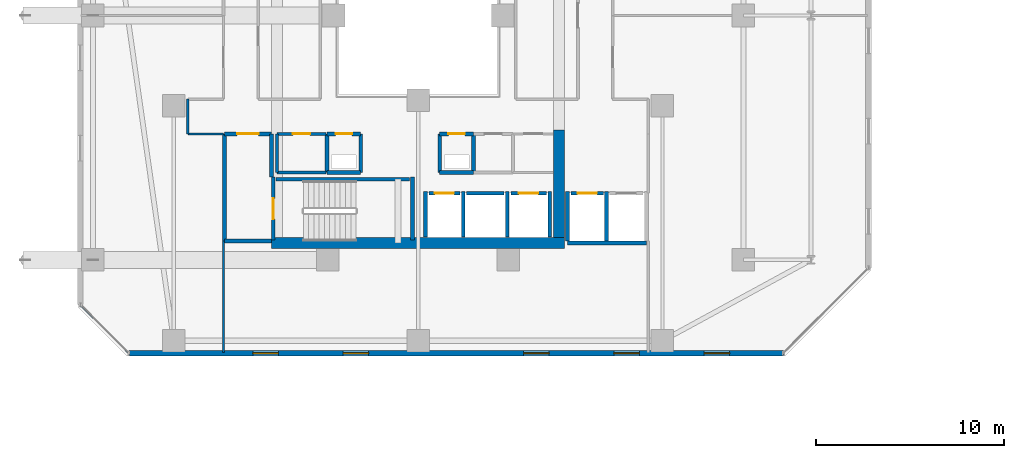
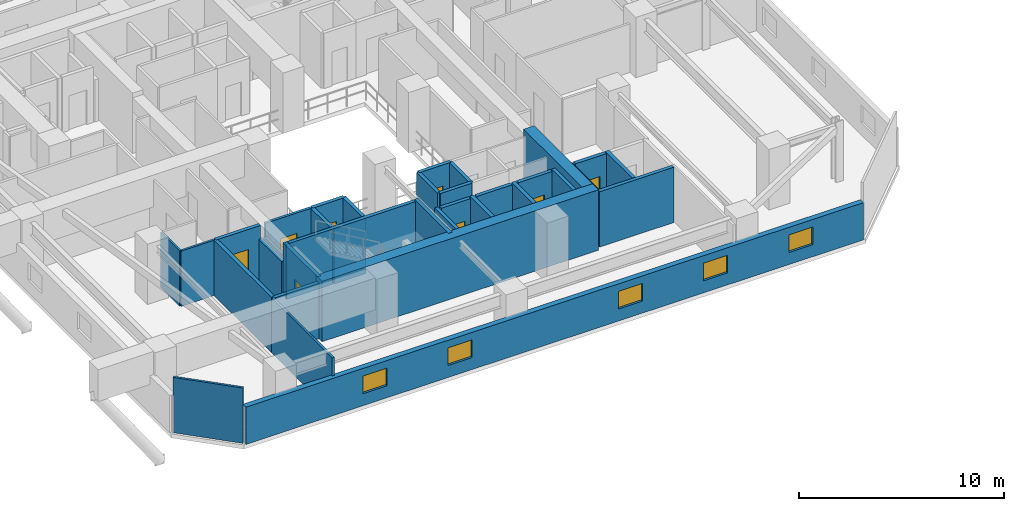
# One storey, part 21 of 36: 36 walls, 8 doors, 5 windows, 13 openings.
"""IFC4 building model written with IfcOpenShell, lengths in metres."""

from ifc_helpers import new_model, si_unit, direction, frame, frame_2d, origin, place, context, subcontext, project, spatial, rectangle, extrude, material, layer, layer_set, type_object, element, fill, save


model = new_model("IFC4")

# Units and contexts
model_context = context("Model", 3, precision=1e-05, world=origin(), true_north=direction((0.0, 1.0)))
body_context = subcontext(model_context, "Body", "Model", "MODEL_VIEW")
ifc_project = project(units=[si_unit("LENGTHUNIT", "METRE"), si_unit("AREAUNIT", "SQUARE_METRE"), si_unit("VOLUMEUNIT", "CUBIC_METRE"), si_unit("PLANEANGLEUNIT", "RADIAN"), si_unit("MASSUNIT", "GRAM", prefix="KILO")], contexts=[model_context])

# Site, building, storey
site_placement = place(None, origin())
site = spatial("IfcSite", under=ifc_project, at=site_placement, CompositionType="ELEMENT")
building_placement = place(site_placement, origin())
building = spatial("IfcBuilding", under=site, at=building_placement, Name="Thornwick Lancets Civic Towers", CompositionType="ELEMENT")
storey_placement = place(building_placement, frame((0.0, 0.0, 94.5)))
storey = spatial("IfcBuildingStorey", under=building, at=storey_placement, Name="L24", CompositionType="ELEMENT", Elevation=94.5)

# Wall, opening, door
ifc_material_1 = material(Name="Concrete blockwork C40/50", Category="masonry")
ifc_layer_1 = layer(ifc_material_1, 0.199951171875, Name="Concrete blockwork C40/50")
ifc_layer_set_1 = layer_set([ifc_layer_1], Name="Concrete blockwork C40/50")
wall_type_1 = type_object("IfcWallType", Name="WALL_COMP_200", PredefinedType="STANDARD", material=ifc_layer_set_1)
wall_1_placement = place(storey_placement, frame((26.080078125, 17.550048828125, 0.0), z_axis=(0.0, 0.0, 1.0), x_axis=(1.0, 0.0, 0.0)))
wall_1 = element("IfcWall", 1, at=wall_1_placement, inside=storey, type_object=wall_type_1, Name="L24 Hoistway Front Wall FL-A1", PredefinedType="STANDARD", context=body_context, shape_type="SweptSolid", body=[
    extrude(rectangle(XDim=1.639892578125, YDim=0.199951171875, at=frame_2d((0.81982421875, 0.0))), origin(), (0.0, 0.0, 1.0), 3.300048828125),
])
opening_1_placement = place(wall_1_placement, frame((0.31005859375, 0.0, 0.0)))
opening_1 = element("IfcOpeningElement", 2, at=opening_1_placement, cuts=wall_1, Name="Opening LD-FL-A1", PredefinedType="OPENING", context=body_context, shape_type="SweptSolid", body=[
    extrude(rectangle(XDim=1.02001953125, YDim=2.06005859375, at=frame_2d((0.510009765625, 1.030029296875))), frame((0.0, 0.10986328125, 0.0), z_axis=(0.0, -1.0, 0.0), x_axis=(1.0, 0.0, 0.0)), (0.0, 0.0, 1.0), 0.219970703125),
])
ifc_material_2 = material(Name="Brushed bronze stainless steel", Category="steel")
door_type_1 = type_object("IfcDoorType", Name="DOOR_LIFT_SLIDE", OperationType="SLIDING_TO_LEFT", PredefinedType="DOOR", material=ifc_material_2)
door_1_placement = place(opening_1_placement, origin())
door_1 = element("IfcDoor", 3, at=door_1_placement, inside=storey, type_object=door_type_1, Name="L24 Sliding Lift Landing Door LD-FL-A1", OperationType="SLIDING_TO_LEFT", OverallHeight=2.06005859375, OverallWidth=1.02001953125, PredefinedType="DOOR", context=body_context, shape_type="SweptSolid", body=[
    extrude(rectangle(XDim=1.02001953125, YDim=2.06005859375, at=frame_2d((0.510009765625, 1.030029296875))), frame((0.0, 0.02490234375, 0.0), z_axis=(0.0, -1.0, 0.0), x_axis=(1.0, 0.0, 0.0)), (0.0, 0.0, 1.0), 0.050048828125),
])
fill(opening_1, door_1)

# Wall
wall_2_placement = place(storey_placement, frame((28.080078125, 17.550048828125, 0.0), z_axis=(0.0, 0.0, 1.0), x_axis=(1.0, 0.0, 0.0)))
element("IfcWall", 4, at=wall_2_placement, inside=storey, type_object=wall_type_1, Name="L24 Hoistway Front Wall PL-AH1", PredefinedType="STANDARD", context=body_context, shape_type="SweptSolid", body=[
    extrude(rectangle(XDim=1.989990234375, YDim=0.199951171875, at=frame_2d((0.9951171875, 0.0))), origin(), (0.0, 0.0, 1.0), 3.300048828125),
])

# Wall, opening, door
wall_3_placement = place(storey_placement, frame((30.429931640625, 17.550048828125, 0.0), z_axis=(0.0, 0.0, 1.0), x_axis=(1.0, 0.0, 0.0)))
wall_3 = element("IfcWall", 5, at=wall_3_placement, inside=storey, type_object=wall_type_1, Name="L24 Hoistway Front Wall PL-AL1", PredefinedType="STANDARD", context=body_context, shape_type="SweptSolid", body=[
    extrude(rectangle(XDim=1.89013671875, YDim=0.199951171875, at=frame_2d((0.945068359375, 0.0))), origin(), (0.0, 0.0, 1.0), 3.300048828125),
])
opening_2_placement = place(wall_3_placement, frame((0.43505859375, 0.0, 0.0)))
opening_2 = element("IfcOpeningElement", 6, at=opening_2_placement, cuts=wall_3, Name="Opening LD-PL-AL1", PredefinedType="OPENING", context=body_context, shape_type="SweptSolid", body=[
    extrude(rectangle(XDim=1.02001953125, YDim=2.06005859375, at=frame_2d((0.510009765625, 1.030029296875))), frame((0.0, 0.10986328125, 0.0), z_axis=(0.0, -1.0, 0.0), x_axis=(1.0, 0.0, 0.0)), (0.0, 0.0, 1.0), 0.219970703125),
])
door_2_placement = place(opening_2_placement, origin())
door_2 = element("IfcDoor", 7, at=door_2_placement, inside=storey, type_object=door_type_1, Name="L24 Sliding Lift Landing Door LD-PL-AL1", OperationType="SLIDING_TO_LEFT", OverallHeight=2.06005859375, OverallWidth=1.02001953125, PredefinedType="DOOR", context=body_context, shape_type="SweptSolid", body=[
    extrude(rectangle(XDim=1.02001953125, YDim=2.06005859375, at=frame_2d((0.510009765625, 1.030029296875))), frame((0.0, 0.02490234375, 0.0), z_axis=(0.0, -1.0, 0.0), x_axis=(1.0, 0.0, 0.0)), (0.0, 0.0, 1.0), 0.050048828125),
])
fill(opening_2, door_2)

wall_4_placement = place(storey_placement, frame((33.6298828125, 17.550048828125, 0.0), z_axis=(0.0, 0.0, 1.0), x_axis=(1.0, 0.0, 0.0)))
wall_4 = element("IfcWall", 8, at=wall_4_placement, inside=storey, type_object=wall_type_1, Name="L24 Hoistway Front Wall PL-AL2", PredefinedType="STANDARD", context=body_context, shape_type="SweptSolid", body=[
    extrude(rectangle(XDim=1.740234375, YDim=0.199951171875, at=frame_2d((0.8701171875, 0.0))), origin(), (0.0, 0.0, 1.0), 3.300048828125),
])
opening_3_placement = place(wall_4_placement, frame((0.360107421875, 0.0, 0.0)))
opening_3 = element("IfcOpeningElement", 9, at=opening_3_placement, cuts=wall_4, Name="Opening LD-PL-AL2", PredefinedType="OPENING", context=body_context, shape_type="SweptSolid", body=[
    extrude(rectangle(XDim=1.02001953125, YDim=2.06005859375, at=frame_2d((0.510009765625, 1.030029296875))), frame((0.0, 0.10986328125, 0.0), z_axis=(0.0, -1.0, 0.0), x_axis=(1.0, 0.0, 0.0)), (0.0, 0.0, 1.0), 0.219970703125),
])
door_3_placement = place(opening_3_placement, origin())
door_3 = element("IfcDoor", 10, at=door_3_placement, inside=storey, type_object=door_type_1, Name="L24 Sliding Lift Landing Door LD-PL-AL2", OperationType="SLIDING_TO_LEFT", OverallHeight=2.06005859375, OverallWidth=1.02001953125, PredefinedType="DOOR", context=body_context, shape_type="SweptSolid", body=[
    extrude(rectangle(XDim=1.02001953125, YDim=2.06005859375, at=frame_2d((0.510009765625, 1.030029296875))), frame((0.0, 0.02490234375, 0.0), z_axis=(0.0, -1.0, 0.0), x_axis=(1.0, 0.0, 0.0)), (0.0, 0.0, 1.0), 0.050048828125),
])
fill(opening_3, door_3)

# Walls
for number, where, z_axis, x_axis, name in (
    (11, (27.89990234375, 15.2119140625, 0.0), (0.0, 0.0, 1.0), (0.0, 1.0, 0.0), "L24 Hoistway Shaft Wall FL-A1 E"),
    (12, (25.89990234375, 15.2119140625, 0.0), (0.0, 0.0, 1.0), (0.0, 1.0, 0.0), "L24 Hoistway Shaft Wall FL-A1 W"),
    (13, (30.25, 15.2119140625, 0.0), (0.0, 0.0, 1.0), (0.0, 1.0, 0.0), "L24 Hoistway Shaft Wall PL-AH1 E"),
    (14, (32.5, 15.2119140625, 0.0), (0.0, 0.0, 1.0), (0.0, 1.0, 0.0), "L24 Hoistway Shaft Wall PL-AL1 E"),
):
    element("IfcWall", number, at=place(storey_placement, frame(where, z_axis=z_axis, x_axis=x_axis)), inside=storey, type_object=wall_type_1, Name=name, PredefinedType="STANDARD", context=body_context, shape_type="SweptSolid", body=[
        extrude(rectangle(XDim=2.43603515625, YDim=0.199951171875, at=frame_2d((1.218017578125, 0.0))), origin(), (0.0, 0.0, 1.0), 3.300048828125),
    ])
wall_5_placement = place(storey_placement, frame((33.451904296875, 14.89990234375, 0.0), z_axis=(0.0, 0.0, 1.0), x_axis=(1.0, 0.0, 0.0)))
element("IfcWall", 15, at=wall_5_placement, inside=storey, type_object=wall_type_1, Name="L24 Hoistway Shaft Wall PL-AL2 S", PredefinedType="STANDARD", context=body_context, shape_type="SweptSolid", body=[
    extrude(rectangle(XDim=4.196044921875, YDim=0.199951171875, at=frame_2d((2.09814453125, 0.0))), origin(), (0.0, 0.0, 1.0), 3.300048828125),
])
for number, where, z_axis, x_axis, name in (
    (16, (35.52490234375, 15.011962890625, 0.0), (0.0, 0.0, 1.0), (0.0, 1.0, 0.0), "L24 Hoistway Shaft Wall PL-AL2 E"),
    (17, (33.449951171875, 15.011962890625, 0.0), (0.0, 0.0, 1.0), (0.0, 1.0, 0.0), "L24 Hoistway Shaft Wall PL-AL2 W"),
):
    element("IfcWall", number, at=place(storey_placement, frame(where, z_axis=z_axis, x_axis=x_axis)), inside=storey, type_object=wall_type_1, Name=name, PredefinedType="STANDARD", context=body_context, shape_type="SweptSolid", body=[
        extrude(rectangle(XDim=2.635986328125, YDim=0.199951171875, at=frame_2d((1.31787109375, 0.0))), origin(), (0.0, 0.0, 1.0), 3.300048828125),
    ])
wall_6_placement = place(storey_placement, frame((15.199951171875, 15.0, 0.0), z_axis=(0.0, 0.0, 1.0), x_axis=(1.0, 0.0, 0.0)))
element("IfcWall", 18, at=wall_6_placement, inside=storey, type_object=wall_type_1, Name="L24 Partition L24-A-FFLOB1 E1", PredefinedType="STANDARD", context=body_context, shape_type="SweptSolid", body=[
    extrude(rectangle(XDim=2.5, YDim=0.199951171875, at=frame_2d((1.25, 0.0))), origin(), (0.0, 0.0, 1.0), 3.300048828125),
])
wall_7_placement = place(storey_placement, frame((17.699951171875, 18.39990234375, 0.0), z_axis=(0.0, 0.0, 1.0), x_axis=(0.0, 1.0, 0.0)))
element("IfcWall", 19, at=wall_7_placement, inside=storey, type_object=wall_type_1, Name="L24 Partition L24-A-FFLOB1 E2", PredefinedType="STANDARD", context=body_context, shape_type="SweptSolid", body=[
    extrude(rectangle(XDim=2.300048828125, YDim=0.199951171875, at=frame_2d((1.14990234375, 0.0))), origin(), (0.0, 0.0, 1.0), 2.5048828125),
])

# Wall, opening, door
wall_8_placement = place(storey_placement, frame((17.699951171875, 20.699951171875, 0.0), z_axis=(0.0, 0.0, 1.0), x_axis=(-1.0, 0.0, 0.0)))
wall_8 = element("IfcWall", 20, at=wall_8_placement, inside=storey, type_object=wall_type_1, Name="L24 Partition L24-A-FFLOB1 E3", PredefinedType="STANDARD", context=body_context, shape_type="SweptSolid", body=[
    extrude(rectangle(XDim=2.5, YDim=0.199951171875, at=frame_2d((1.25, 0.0))), origin(), (0.0, 0.0, 1.0), 3.300048828125),
])
opening_4_placement = place(wall_8_placement, frame((0.675048828125, 0.0, 0.0)))
opening_4 = element("IfcOpeningElement", 21, at=opening_4_placement, cuts=wall_8, Name="Opening D-L24-1107", PredefinedType="OPENING", context=body_context, shape_type="SweptSolid", body=[
    extrude(rectangle(XDim=1.14990234375, YDim=2.10009765625, at=frame_2d((0.574951171875, 1.050048828125))), frame((0.0, 0.10986328125, 0.0), z_axis=(0.0, -1.0, 0.0), x_axis=(1.0, 0.0, 0.0)), (0.0, 0.0, 1.0), 0.219970703125),
])
ifc_material_3 = material(Name="Glazed fire-resisting steel", Category="steel")
door_type_2 = type_object("IfcDoorType", Name="DOOR_LOBBY_FD60", OperationType="NOTDEFINED", PredefinedType="DOOR", material=ifc_material_3)
door_4_placement = place(opening_4_placement, origin())
door_4 = element("IfcDoor", 22, at=door_4_placement, inside=storey, type_object=door_type_2, Name="L24 South Firefighting Lobby 1 Door", OperationType="SINGLE_SWING_RIGHT", OverallHeight=2.10009765625, OverallWidth=1.14990234375, PredefinedType="DOOR", context=body_context, shape_type="SweptSolid", body=[
    extrude(rectangle(XDim=1.14990234375, YDim=2.10009765625, at=frame_2d((0.574951171875, 1.050048828125))), frame((0.0, 0.02490234375, 0.0), z_axis=(0.0, -1.0, 0.0), x_axis=(1.0, 0.0, 0.0)), (0.0, 0.0, 1.0), 0.050048828125),
])
fill(opening_4, door_4)

# Walls
wall_9_placement = place(storey_placement, frame((15.199951171875, 20.699951171875, 0.0), z_axis=(0.0, 0.0, 1.0), x_axis=(0.0, -1.0, 0.0)))
element("IfcWall", 23, at=wall_9_placement, inside=storey, type_object=wall_type_1, Name="L24 Partition L24-A-FFLOB1 E4", PredefinedType="STANDARD", context=body_context, shape_type="SweptSolid", body=[
    extrude(rectangle(XDim=5.699951171875, YDim=0.199951171875, at=frame_2d((2.85009765625, 0.0))), origin(), (0.0, 0.0, 1.0), 3.300048828125),
])
wall_10_placement = place(storey_placement, frame((26.64990234375, 18.64990234375, 0.0), z_axis=(0.0, 0.0, 1.0), x_axis=(1.0, 0.0, 0.0)))
element("IfcWall", 24, at=wall_10_placement, inside=storey, type_object=wall_type_1, Name="L24 Partition L24-A-DUCT1 E1", PredefinedType="STANDARD", context=body_context, shape_type="SweptSolid", body=[
    extrude(rectangle(XDim=1.800048828125, YDim=0.199951171875, at=frame_2d((0.89990234375, 0.0))), origin(), (0.0, 0.0, 1.0), 3.300048828125),
])
wall_11_placement = place(storey_placement, frame((28.449951171875, 18.64990234375, 0.0), z_axis=(0.0, 0.0, 1.0), x_axis=(0.0, 1.0, 0.0)))
element("IfcWall", 25, at=wall_11_placement, inside=storey, type_object=wall_type_1, Name="L24 Partition L24-A-DUCT1 E2", PredefinedType="STANDARD", context=body_context, shape_type="SweptSolid", body=[
    extrude(rectangle(XDim=2.050048828125, YDim=0.199951171875, at=frame_2d((1.02490234375, 0.0))), origin(), (0.0, 0.0, 1.0), 3.300048828125),
])

# Wall, opening, door
wall_12_placement = place(storey_placement, frame((28.449951171875, 20.699951171875, 0.0), z_axis=(0.0, 0.0, 1.0), x_axis=(-1.0, 0.0, 0.0)))
wall_12 = element("IfcWall", 26, at=wall_12_placement, inside=storey, type_object=wall_type_1, Name="L24 Partition L24-A-DUCT1 E3", PredefinedType="STANDARD", context=body_context, shape_type="SweptSolid", body=[
    extrude(rectangle(XDim=1.800048828125, YDim=0.199951171875, at=frame_2d((0.89990234375, 0.0))), origin(), (0.0, 0.0, 1.0), 3.300048828125),
])
opening_5_placement = place(wall_12_placement, frame((0.4599609375, 0.0, 0.0)))
opening_5 = element("IfcOpeningElement", 27, at=opening_5_placement, cuts=wall_12, Name="Opening D-L24-1109", PredefinedType="OPENING", context=body_context, shape_type="SweptSolid", body=[
    extrude(rectangle(XDim=0.8798828125, YDim=2.0400390625, at=frame_2d((0.43994140625, 1.02001953125))), frame((0.0, 0.10986328125, 0.0), z_axis=(0.0, -1.0, 0.0), x_axis=(1.0, 0.0, 0.0)), (0.0, 0.0, 1.0), 0.219970703125),
])
ifc_material_4 = material(Name="Steel riser access doorset", Category="steel")
door_type_3 = type_object("IfcDoorType", Name="DOOR_RISER_850", OperationType="NOTDEFINED", PredefinedType="DOOR", material=ifc_material_4)
door_5_placement = place(opening_5_placement, origin())
door_5 = element("IfcDoor", 28, at=door_5_placement, inside=storey, type_object=door_type_3, Name="L24 South Service Duct 1 Door", OperationType="SINGLE_SWING_RIGHT", OverallHeight=2.0400390625, OverallWidth=0.8798828125, PredefinedType="DOOR", context=body_context, shape_type="SweptSolid", body=[
    extrude(rectangle(XDim=0.8798828125, YDim=2.0400390625, at=frame_2d((0.43994140625, 1.02001953125))), frame((0.0, 0.02490234375, 0.0), z_axis=(0.0, -1.0, 0.0), x_axis=(1.0, 0.0, 0.0)), (0.0, 0.0, 1.0), 0.050048828125),
])
fill(opening_5, door_5)

# Walls
wall_13_placement = place(storey_placement, frame((26.64990234375, 20.699951171875, 0.0), z_axis=(0.0, 0.0, 1.0), x_axis=(0.0, -1.0, 0.0)))
element("IfcWall", 29, at=wall_13_placement, inside=storey, type_object=wall_type_1, Name="L24 Partition L24-A-DUCT1 E4", PredefinedType="STANDARD", context=body_context, shape_type="SweptSolid", body=[
    extrude(rectangle(XDim=2.050048828125, YDim=0.199951171875, at=frame_2d((1.02490234375, 0.0))), origin(), (0.0, 0.0, 1.0), 3.300048828125),
])
wall_14_placement = place(storey_placement, frame((20.64990234375, 18.64990234375, 0.0), z_axis=(0.0, 0.0, 1.0), x_axis=(1.0, 0.0, 0.0)))
element("IfcWall", 30, at=wall_14_placement, inside=storey, type_object=wall_type_1, Name="L24 Partition L24-A-RISER1 E1", PredefinedType="STANDARD", context=body_context, shape_type="SweptSolid", body=[
    extrude(rectangle(XDim=1.800048828125, YDim=0.199951171875, at=frame_2d((0.89990234375, 0.0))), origin(), (0.0, 0.0, 1.0), 3.300048828125),
])
wall_15_placement = place(storey_placement, frame((22.449951171875, 18.64990234375, 0.0), z_axis=(0.0, 0.0, 1.0), x_axis=(0.0, 1.0, 0.0)))
element("IfcWall", 31, at=wall_15_placement, inside=storey, type_object=wall_type_1, Name="L24 Partition L24-A-RISER1 E2", PredefinedType="STANDARD", context=body_context, shape_type="SweptSolid", body=[
    extrude(rectangle(XDim=2.050048828125, YDim=0.199951171875, at=frame_2d((1.02490234375, 0.0))), origin(), (0.0, 0.0, 1.0), 3.300048828125),
])

# Wall, opening, door
wall_16_placement = place(storey_placement, frame((22.449951171875, 20.699951171875, 0.0), z_axis=(0.0, 0.0, 1.0), x_axis=(-1.0, 0.0, 0.0)))
wall_16 = element("IfcWall", 32, at=wall_16_placement, inside=storey, type_object=wall_type_1, Name="L24 Partition L24-A-RISER1 E3", PredefinedType="STANDARD", context=body_context, shape_type="SweptSolid", body=[
    extrude(rectangle(XDim=1.800048828125, YDim=0.199951171875, at=frame_2d((0.89990234375, 0.0))), origin(), (0.0, 0.0, 1.0), 3.300048828125),
])
opening_6_placement = place(wall_16_placement, frame((0.4599609375, 0.0, 0.0)))
opening_6 = element("IfcOpeningElement", 33, at=opening_6_placement, cuts=wall_16, Name="Opening D-L24-1110", PredefinedType="OPENING", context=body_context, shape_type="SweptSolid", body=[
    extrude(rectangle(XDim=0.8798828125, YDim=2.0400390625, at=frame_2d((0.43994140625, 1.02001953125))), frame((0.0, 0.10986328125, 0.0), z_axis=(0.0, -1.0, 0.0), x_axis=(1.0, 0.0, 0.0)), (0.0, 0.0, 1.0), 0.219970703125),
])
door_6_placement = place(opening_6_placement, origin())
door_6 = element("IfcDoor", 34, at=door_6_placement, inside=storey, type_object=door_type_3, Name="L24 South Electrical Riser 1 Door", OperationType="SINGLE_SWING_LEFT", OverallHeight=2.0400390625, OverallWidth=0.8798828125, PredefinedType="DOOR", context=body_context, shape_type="SweptSolid", body=[
    extrude(rectangle(XDim=0.8798828125, YDim=2.0400390625, at=frame_2d((0.43994140625, 1.02001953125))), frame((0.0, 0.02490234375, 0.0), z_axis=(0.0, -1.0, 0.0), x_axis=(1.0, 0.0, 0.0)), (0.0, 0.0, 1.0), 0.050048828125),
])
fill(opening_6, door_6)

# Walls
wall_17_placement = place(storey_placement, frame((20.64990234375, 20.699951171875, 0.0), z_axis=(0.0, 0.0, 1.0), x_axis=(0.0, -1.0, 0.0)))
element("IfcWall", 35, at=wall_17_placement, inside=storey, type_object=wall_type_1, Name="L24 Partition L24-A-RISER1 E4", PredefinedType="STANDARD", context=body_context, shape_type="SweptSolid", body=[
    extrude(rectangle(XDim=2.050048828125, YDim=0.199951171875, at=frame_2d((1.02490234375, 0.0))), origin(), (0.0, 0.0, 1.0), 3.300048828125),
])
ifc_material_5 = material(Name="Concrete C60/75", Category="concrete")
ifc_layer_2 = layer(ifc_material_5, 0.60009765625, Name="Concrete C60/75")
ifc_layer_set_2 = layer_set([ifc_layer_2], Name="Concrete C60/75")
wall_type_2 = type_object("IfcWallType", Name="WALL_CORE_600", PredefinedType="SHEAR", material=ifc_layer_set_2)
wall_18_placement = place(storey_placement, frame((17.699951171875, 14.89990234375, 0.0), z_axis=(0.0, 0.0, 1.0), x_axis=(1.0, 0.0, 0.0)))
element("IfcWall", 36, at=wall_18_placement, inside=storey, type_object=wall_type_2, Name="L24 Split Core A1 Shear Wall S", PredefinedType="SHEAR", context=body_context, shape_type="SweptSolid", body=[
    extrude(rectangle(XDim=15.60009765625, YDim=0.60009765625, at=frame_2d((7.800048828125, 0.0))), origin(), (0.0, 0.0, 1.0), 3.60009765625),
])
wall_19_placement = place(storey_placement, frame((33.0, 15.199951171875, 0.0), z_axis=(0.0, 0.0, 1.0), x_axis=(0.0, 1.0, 0.0)))
element("IfcWall", 37, at=wall_19_placement, inside=storey, type_object=wall_type_2, Name="L24 Split Core A1 Shear Wall E", PredefinedType="SHEAR", context=body_context, shape_type="SweptSolid", body=[
    extrude(rectangle(XDim=5.699951171875, YDim=0.60009765625, at=frame_2d((2.85009765625, 0.0))), origin(), (0.0, 0.0, 1.0), 3.60009765625),
])

# Wall, openings, windows
ifc_material_6 = material(Name="Insulated russet terracotta rainscreen on concrete C40/50", Category="masonry")
ifc_layer_3 = layer(ifc_material_6, 0.300048828125, Name="Insulated russet terracotta rainscreen on concrete C40/50")
ifc_layer_set_3 = layer_set([ifc_layer_3], Name="Insulated russet terracotta rainscreen on concrete C40/50")
wall_type_3 = type_object("IfcWallType", Name="WALL_EXT_RUSSET_300", PredefinedType="STANDARD", material=ifc_layer_set_3)
wall_20_placement = place(storey_placement, frame((10.11865234375, 9.035400390625, 0.0), z_axis=(0.0, 0.0, 1.0), x_axis=(0.999999983371, 0.000182370391, 0.0)))
wall_20 = element("IfcWall", 38, at=wall_20_placement, inside=storey, type_object=wall_type_3, Name="L24 Tower A Terracotta Facade Wall E0", PredefinedType="STANDARD", context=body_context, shape_type="SweptSolid", body=[
    extrude(rectangle(XDim=34.806396484375, YDim=0.300048828125, at=frame_2d((17.4033203125, 0.0))), origin(), (0.0, 0.0, 1.0), 2.219970703125),
])
opening_7_placement = place(wall_20_placement, frame((6.60009765625, 0.0, 0.719970703125)))
opening_7 = element("IfcOpeningElement", 39, at=opening_7_placement, cuts=wall_20, Name="Opening WL-03", PredefinedType="OPENING", context=body_context, shape_type="SweptSolid", body=[
    extrude(rectangle(XDim=1.35009765625, YDim=1.050048828125, at=frame_2d((0.675048828125, 0.52490234375))), frame((0.0, 0.16015625, 0.0), z_axis=(0.0, -1.0, 0.0), x_axis=(1.0, 0.0, 0.0)), (0.0, 0.0, 1.0), 0.320068359375),
])
opening_8_placement = place(wall_20_placement, frame((11.39990234375, 0.0, 0.719970703125)))
opening_8 = element("IfcOpeningElement", 40, at=opening_8_placement, cuts=wall_20, Name="Opening WL-03", PredefinedType="OPENING", context=body_context, shape_type="SweptSolid", body=[
    extrude(rectangle(XDim=1.35009765625, YDim=1.050048828125, at=frame_2d((0.675048828125, 0.52490234375))), frame((0.0, 0.16015625, 0.0), z_axis=(0.0, -1.0, 0.0), x_axis=(1.0, 0.0, 0.0)), (0.0, 0.0, 1.0), 0.320068359375),
])
opening_9_placement = place(wall_20_placement, frame((21.0, 0.0, 0.719970703125)))
opening_9 = element("IfcOpeningElement", 41, at=opening_9_placement, cuts=wall_20, Name="Opening WL-03", PredefinedType="OPENING", context=body_context, shape_type="SweptSolid", body=[
    extrude(rectangle(XDim=1.35009765625, YDim=1.050048828125, at=frame_2d((0.675048828125, 0.52490234375))), frame((0.0, 0.16015625, 0.0), z_axis=(0.0, -1.0, 0.0), x_axis=(1.0, 0.0, 0.0)), (0.0, 0.0, 1.0), 0.320068359375),
])
opening_10_placement = place(wall_20_placement, frame((25.800048828125, 0.0, 0.719970703125)))
opening_10 = element("IfcOpeningElement", 42, at=opening_10_placement, cuts=wall_20, Name="Opening WL-03", PredefinedType="OPENING", context=body_context, shape_type="SweptSolid", body=[
    extrude(rectangle(XDim=1.35009765625, YDim=1.050048828125, at=frame_2d((0.675048828125, 0.52490234375))), frame((0.0, 0.16015625, 0.0), z_axis=(0.0, -1.0, 0.0), x_axis=(1.0, 0.0, 0.0)), (0.0, 0.0, 1.0), 0.320068359375),
])
opening_11_placement = place(wall_20_placement, frame((30.60009765625, 0.0, 0.719970703125)))
opening_11 = element("IfcOpeningElement", 43, at=opening_11_placement, cuts=wall_20, Name="Opening WL-03", PredefinedType="OPENING", context=body_context, shape_type="SweptSolid", body=[
    extrude(rectangle(XDim=1.35009765625, YDim=1.050048828125, at=frame_2d((0.675048828125, 0.52490234375))), frame((0.0, 0.16015625, 0.0), z_axis=(0.0, -1.0, 0.0), x_axis=(1.0, 0.0, 0.0)), (0.0, 0.0, 1.0), 0.320068359375),
])
ifc_material_7 = material(Name="Clear low-e double glazing clerestory lancet", Category="glass")
window_type = type_object("IfcWindowType", Name="WIN_LANCET_1350", PartitioningType="SINGLE_PANEL", PredefinedType="WINDOW", material=ifc_material_7)
window_1_placement = place(opening_7_placement, origin())
window_1 = element("IfcWindow", 44, at=window_1_placement, inside=storey, type_object=window_type, Name="L24 Tower A Staggered Lancet Window E0-1", OverallHeight=1.050048828125, OverallWidth=1.35009765625, PartitioningType="SINGLE_PANEL", PredefinedType="WINDOW", context=body_context, shape_type="SweptSolid", body=[
    extrude(rectangle(XDim=1.35009765625, YDim=1.050048828125, at=frame_2d((0.675048828125, 0.52490234375))), frame((0.0, 0.030029296875, 0.0), z_axis=(0.0, -1.0, 0.0), x_axis=(1.0, 0.0, 0.0)), (0.0, 0.0, 1.0), 0.06005859375),
])
fill(opening_7, window_1)
window_2_placement = place(opening_8_placement, origin())
window_2 = element("IfcWindow", 45, at=window_2_placement, inside=storey, type_object=window_type, Name="L24 Tower A Staggered Lancet Window E0-2", OverallHeight=1.050048828125, OverallWidth=1.35009765625, PartitioningType="SINGLE_PANEL", PredefinedType="WINDOW", context=body_context, shape_type="SweptSolid", body=[
    extrude(rectangle(XDim=1.35009765625, YDim=1.050048828125, at=frame_2d((0.675048828125, 0.52490234375))), frame((0.0, 0.030029296875, 0.0), z_axis=(0.0, -1.0, 0.0), x_axis=(1.0, 0.0, 0.0)), (0.0, 0.0, 1.0), 0.06005859375),
])
fill(opening_8, window_2)
window_3_placement = place(opening_9_placement, origin())
window_3 = element("IfcWindow", 46, at=window_3_placement, inside=storey, type_object=window_type, Name="L24 Tower A Staggered Lancet Window E0-3", OverallHeight=1.050048828125, OverallWidth=1.35009765625, PartitioningType="SINGLE_PANEL", PredefinedType="WINDOW", context=body_context, shape_type="SweptSolid", body=[
    extrude(rectangle(XDim=1.35009765625, YDim=1.050048828125, at=frame_2d((0.675048828125, 0.52490234375))), frame((0.0, 0.030029296875, 0.0), z_axis=(0.0, -1.0, 0.0), x_axis=(1.0, 0.0, 0.0)), (0.0, 0.0, 1.0), 0.06005859375),
])
fill(opening_9, window_3)
window_4_placement = place(opening_10_placement, origin())
window_4 = element("IfcWindow", 47, at=window_4_placement, inside=storey, type_object=window_type, Name="L24 Tower A Staggered Lancet Window E0-4", OverallHeight=1.050048828125, OverallWidth=1.35009765625, PartitioningType="SINGLE_PANEL", PredefinedType="WINDOW", context=body_context, shape_type="SweptSolid", body=[
    extrude(rectangle(XDim=1.35009765625, YDim=1.050048828125, at=frame_2d((0.675048828125, 0.52490234375))), frame((0.0, 0.030029296875, 0.0), z_axis=(0.0, -1.0, 0.0), x_axis=(1.0, 0.0, 0.0)), (0.0, 0.0, 1.0), 0.06005859375),
])
fill(opening_10, window_4)
window_5_placement = place(opening_11_placement, origin())
window_5 = element("IfcWindow", 48, at=window_5_placement, inside=storey, type_object=window_type, Name="L24 Tower A Staggered Lancet Window E0-5", OverallHeight=1.050048828125, OverallWidth=1.35009765625, PartitioningType="SINGLE_PANEL", PredefinedType="WINDOW", context=body_context, shape_type="SweptSolid", body=[
    extrude(rectangle(XDim=1.35009765625, YDim=1.050048828125, at=frame_2d((0.675048828125, 0.52490234375))), frame((0.0, 0.030029296875, 0.0), z_axis=(0.0, -1.0, 0.0), x_axis=(1.0, 0.0, 0.0)), (0.0, 0.0, 1.0), 0.06005859375),
])
fill(opening_11, window_5)

# Walls
ifc_material_8 = material(Name="Acoustic gypsum board partition")
ifc_layer_4 = layer(ifc_material_8, 0.1201171875, Name="Acoustic gypsum board partition")
ifc_layer_set_4 = layer_set([ifc_layer_4], Name="Acoustic gypsum board partition")
wall_type_4 = type_object("IfcWallType", Name="WALL_PART_120", PredefinedType="PARTITIONING", material=ifc_layer_set_4)
wall_21_placement = place(storey_placement, frame((13.25, 22.550048828125, 0.0), z_axis=(0.0, 0.0, 1.0), x_axis=(0.0, -1.0, 0.0)))
element("IfcWall", 49, at=wall_21_placement, inside=storey, type_object=wall_type_4, Name="L24 Partition L24-A-W1 E5", PredefinedType="PARTITIONING", context=body_context, shape_type="SweptSolid", body=[
    extrude(rectangle(XDim=1.85009765625, YDim=0.1201171875, at=frame_2d((0.925048828125, 0.0))), origin(), (0.0, 0.0, 1.0), 3.300048828125),
])
wall_22_placement = place(storey_placement, frame((13.25, 20.699951171875, 0.0), z_axis=(0.0, 0.0, 1.0), x_axis=(1.0, 0.0, 0.0)))
element("IfcWall", 50, at=wall_22_placement, inside=storey, type_object=wall_type_4, Name="L24 Partition L24-A-W1 E6", PredefinedType="PARTITIONING", context=body_context, shape_type="SweptSolid", body=[
    extrude(rectangle(XDim=1.89990234375, YDim=0.1201171875, at=frame_2d((0.949951171875, 0.0))), origin(), (0.0, 0.0, 1.0), 3.300048828125),
])
wall_23_placement = place(storey_placement, frame((15.14990234375, 15.0, 0.0), z_axis=(0.0, 0.0, 1.0), x_axis=(0.0, -1.0, 0.0)))
element("IfcWall", 51, at=wall_23_placement, inside=storey, type_object=wall_type_4, Name="L24 Partition L24-A-W1 E7", PredefinedType="PARTITIONING", context=body_context, shape_type="SweptSolid", body=[
    extrude(rectangle(XDim=5.919921875, YDim=0.1201171875, at=frame_2d((2.9599609375, 0.0))), origin(), (0.0, 0.0, 1.0), 3.300048828125),
])
wall_24_placement = place(storey_placement, frame((10.07470703125, 9.080078125, 0.0), z_axis=(0.0, 0.0, 1.0), x_axis=(-0.707106781187, 0.707106781187, 0.0)))
element("IfcWall", 52, at=wall_24_placement, inside=storey, type_object=wall_type_4, Name="L24 Partition L24-A-W1 E9", PredefinedType="PARTITIONING", context=body_context, shape_type="SweptSolid", body=[
    extrude(rectangle(XDim=3.52783203125, YDim=0.1201171875, at=frame_2d((1.763916015625, 0.0))), origin(), (0.0, 0.0, 1.0), 3.300048828125),
])
ifc_material_9 = material(Name="Twin-stud acoustic gypsum board")
ifc_layer_5 = layer(ifc_material_9, 0.14990234375, Name="Twin-stud acoustic gypsum board")
ifc_layer_set_5 = layer_set([ifc_layer_5], Name="Twin-stud acoustic gypsum board")
wall_type_5 = type_object("IfcWallType", Name="WALL_PART_150", PredefinedType="PARTITIONING", material=ifc_layer_set_5)
wall_25_placement = place(storey_placement, frame((18.0, 18.64990234375, 0.0), z_axis=(0.0, 0.0, 1.0), x_axis=(1.0, 0.0, 0.0)))
element("IfcWall", 53, at=wall_25_placement, inside=storey, type_object=wall_type_5, Name="L24 Partition L24-A-AWC E1", PredefinedType="PARTITIONING", context=body_context, shape_type="SweptSolid", body=[
    extrude(rectangle(XDim=2.60009765625, YDim=0.14990234375, at=frame_2d((1.300048828125, 0.0))), origin(), (0.0, 0.0, 1.0), 3.300048828125),
])

# Wall, opening, door
wall_26_placement = place(storey_placement, frame((20.60009765625, 20.699951171875, 0.0), z_axis=(0.0, 0.0, 1.0), x_axis=(-1.0, 0.0, 0.0)))
wall_26 = element("IfcWall", 54, at=wall_26_placement, inside=storey, type_object=wall_type_5, Name="L24 Partition L24-A-AWC E3", PredefinedType="PARTITIONING", context=body_context, shape_type="SweptSolid", body=[
    extrude(rectangle(XDim=2.60009765625, YDim=0.14990234375, at=frame_2d((1.300048828125, 0.0))), origin(), (0.0, 0.0, 1.0), 3.300048828125),
])
opening_12_placement = place(wall_26_placement, frame((0.840087890625, 0.0, 0.0)))
opening_12 = element("IfcOpeningElement", 55, at=opening_12_placement, cuts=wall_26, Name="Opening D-L24-1113", PredefinedType="OPENING", context=body_context, shape_type="SweptSolid", body=[
    extrude(rectangle(XDim=0.919921875, YDim=2.080078125, at=frame_2d((0.4599609375, 1.0400390625))), frame((0.0, 0.0849609375, 0.0), z_axis=(0.0, -1.0, 0.0), x_axis=(1.0, 0.0, 0.0)), (0.0, 0.0, 1.0), 0.169921875),
])
ifc_material_10 = material(Name="Moisture-resistant oak doorset")
door_type_4 = type_object("IfcDoorType", Name="DOOR_WC_900", OperationType="NOTDEFINED", PredefinedType="DOOR", material=ifc_material_10)
door_7_placement = place(opening_12_placement, origin())
door_7 = element("IfcDoor", 56, at=door_7_placement, inside=storey, type_object=door_type_4, Name="L24 Tower A Accessible WC Door", OperationType="SINGLE_SWING_RIGHT", OverallHeight=2.080078125, OverallWidth=0.919921875, PredefinedType="DOOR", context=body_context, shape_type="SweptSolid", body=[
    extrude(rectangle(XDim=0.919921875, YDim=2.080078125, at=frame_2d((0.4599609375, 1.0400390625))), frame((0.0, 0.02490234375, 0.0), z_axis=(0.0, -1.0, 0.0), x_axis=(1.0, 0.0, 0.0)), (0.0, 0.0, 1.0), 0.050048828125),
])
fill(opening_12, door_7)

# Wall
wall_27_placement = place(storey_placement, frame((18.0, 20.699951171875, 0.0), z_axis=(0.0, 0.0, 1.0), x_axis=(0.0, -1.0, 0.0)))
element("IfcWall", 57, at=wall_27_placement, inside=storey, type_object=wall_type_5, Name="L24 Partition L24-A-AWC E4", PredefinedType="PARTITIONING", context=body_context, shape_type="SweptSolid", body=[
    extrude(rectangle(XDim=2.050048828125, YDim=0.14990234375, at=frame_2d((1.02490234375, 0.0))), origin(), (0.0, 0.0, 1.0), 2.5048828125),
])

# Wall, opening, door
ifc_material_11 = material(Name="Concrete C40/50", Category="concrete")
ifc_layer_6 = layer(ifc_material_11, 0.199951171875, Name="Concrete C40/50")
ifc_layer_set_6 = layer_set([ifc_layer_6], Name="Concrete C40/50")
wall_type_6 = type_object("IfcWallType", Name="WALL_SHAFT_200", PredefinedType="SHEAR", material=ifc_layer_set_6)
wall_28_placement = place(storey_placement, frame((17.800048828125, 15.050048828125, 0.0), z_axis=(0.0, 0.0, 1.0), x_axis=(0.0, 1.0, 0.0)))
wall_28 = element("IfcWall", 58, at=wall_28_placement, inside=storey, type_object=wall_type_6, Name="L24 ST-A1 Fire Stair Core Wall NEAR", PredefinedType="SHEAR", context=body_context, shape_type="SweptSolid", body=[
    extrude(rectangle(XDim=3.349853515625, YDim=0.199951171875, at=frame_2d((1.6748046875, 0.0))), origin(), (0.0, 0.0, 1.0), 3.60009765625),
])
opening_13_placement = place(wall_28_placement, frame((1.125, 0.0, 0.0)))
opening_13 = element("IfcOpeningElement", 59, at=opening_13_placement, cuts=wall_28, Name="Opening D-ST-A1-L24", PredefinedType="OPENING", context=body_context, shape_type="SweptSolid", body=[
    extrude(rectangle(XDim=1.10009765625, YDim=2.10009765625, at=frame_2d((0.550048828125, 1.050048828125))), frame((0.0, 0.10986328125, 0.0), z_axis=(0.0, -1.0, 0.0), x_axis=(1.0, 0.0, 0.0)), (0.0, 0.0, 1.0), 0.219970703125),
])
ifc_material_12 = material(Name="Fire-resisting steel and hardwood", Category="steel")
door_type_5 = type_object("IfcDoorType", Name="DOOR_STAIR_FD60", OperationType="NOTDEFINED", PredefinedType="DOOR", material=ifc_material_12)
door_8_placement = place(opening_13_placement, origin())
door_8 = element("IfcDoor", 60, at=door_8_placement, inside=storey, type_object=door_type_5, Name="L24 ST-A1 Exit Stair Door", OperationType="SINGLE_SWING_RIGHT", OverallHeight=2.10009765625, OverallWidth=1.10009765625, PredefinedType="DOOR", context=body_context, shape_type="SweptSolid", body=[
    extrude(rectangle(XDim=1.10009765625, YDim=2.10009765625, at=frame_2d((0.550048828125, 1.050048828125))), frame((0.0, 0.02490234375, 0.0), z_axis=(0.0, -1.0, 0.0), x_axis=(1.0, 0.0, 0.0)), (0.0, 0.0, 1.0), 0.050048828125),
])
fill(opening_13, door_8)

# Walls
wall_29_placement = place(storey_placement, frame((25.199951171875, 18.39990234375, 0.0), z_axis=(0.0, 0.0, 1.0), x_axis=(0.0, -1.0, 0.0)))
element("IfcWall", 61, at=wall_29_placement, inside=storey, type_object=wall_type_6, Name="L24 ST-A1 Fire Stair Core Wall FAR", PredefinedType="SHEAR", context=body_context, shape_type="SweptSolid", body=[
    extrude(rectangle(XDim=3.349853515625, YDim=0.199951171875, at=frame_2d((1.6748046875, 0.0))), origin(), (0.0, 0.0, 1.0), 3.60009765625),
])
wall_30_placement = place(storey_placement, frame((25.050048828125, 18.297119140625, 0.0), z_axis=(0.0, 0.0, 1.0), x_axis=(-1.0, 0.0, 0.0)))
element("IfcWall", 62, at=wall_30_placement, inside=storey, type_object=wall_type_6, Name="L24 ST-A1 Fire Stair Core Wall RIGHT", PredefinedType="SHEAR", context=body_context, shape_type="SweptSolid", body=[
    extrude(rectangle(XDim=7.10009765625, YDim=0.199951171875, at=frame_2d((3.550048828125, 0.0))), origin(), (0.0, 0.0, 1.0), 3.60009765625),
])

save(model, "model.ifc")
